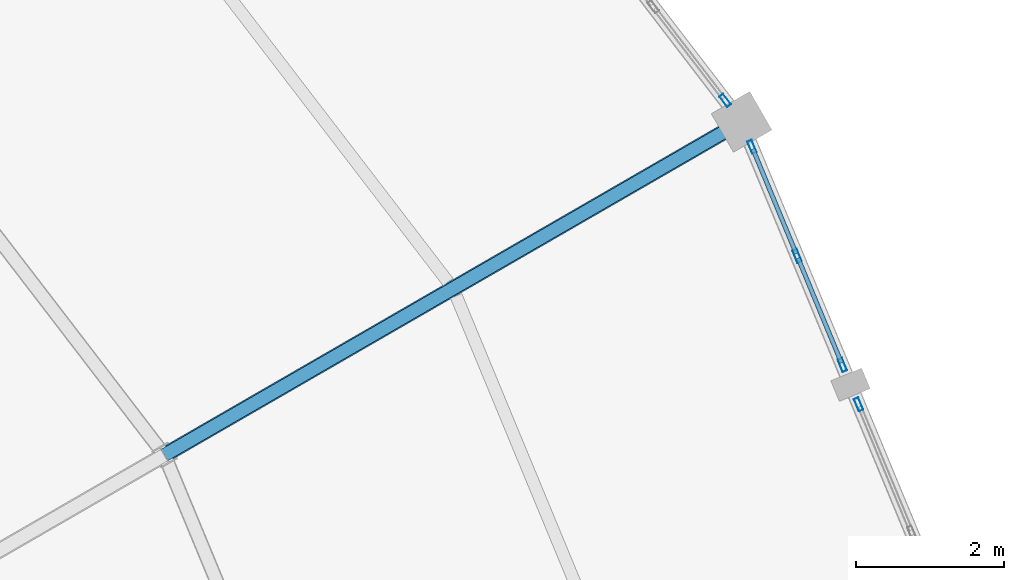
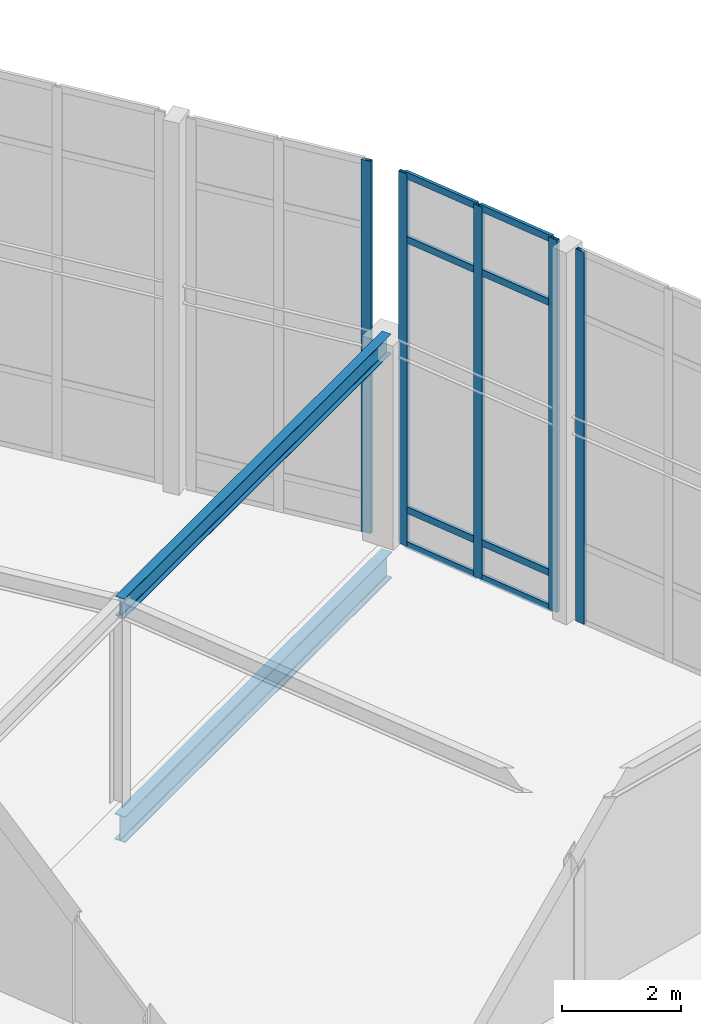
# One storey, part 123 of 185: 13 members, 2 beams, 3 elements without a shape of their own.
"""IFC4 building model written with IfcOpenShell, lengths in metres."""

from ifc_helpers import new_model, si_unit, direction, frame, origin, origin_2d, place, context, subcontext, project, spatial, hollow_rectangle, i_section, extrude, material, material_profile, profile_set, type_object, element, aggregate, save


model = new_model("IFC4")

# Units and contexts
model_context = context("Model", 3, precision=1e-05, world=origin(), true_north=direction((0.0, 1.0)))
body_context = subcontext(model_context, "Body", "Model", "MODEL_VIEW")
ifc_project = project(units=[si_unit("LENGTHUNIT", "METRE"), si_unit("AREAUNIT", "SQUARE_METRE"), si_unit("VOLUMEUNIT", "CUBIC_METRE"), si_unit("PLANEANGLEUNIT", "RADIAN"), si_unit("MASSUNIT", "GRAM", prefix="KILO")], contexts=[model_context])

# Site, building, storey
site_placement = place(None, origin())
site = spatial("IfcSite", under=ifc_project, at=site_placement, CompositionType="ELEMENT")
building_placement = place(site_placement, origin())
building = spatial("IfcBuilding", under=site, at=building_placement, Name="Vondelvale Polytechnic", CompositionType="ELEMENT")
storey_placement = place(building_placement, frame((0.0, 0.0, 9.60009765625)))
storey = spatial("IfcBuildingStorey", under=building, at=storey_placement, Name="L02", CompositionType="ELEMENT", Elevation=9.60009765625)

# Beams
ifc_material_1 = material(Name="Steel 300PLUS (fy = 300 MPa)", Category="steel")
ifc_material_profile_1 = material_profile(ifc_material_1, i_section(OverallWidth=0.177978515625, OverallDepth=0.403076171875, WebThickness=0.007568359375, FlangeThickness=0.010986328125, FilletRadius=0.011474609375, at=origin_2d()), Name="410UB53.7")
ifc_profile_set_1 = profile_set([ifc_material_profile_1], Name="Steel 300PLUS (fy = 300 MPa)")
beam_type_1 = type_object("IfcBeamType", Name="BM-UB410L", PredefinedType="BEAM", material=ifc_profile_set_1)
beam_1_placement = place(storey_placement, frame((134.04296875, 90.5, 3.998291015625), z_axis=(0.866024315419, 0.5000018851, 0.0), x_axis=(-0.5000018851, 0.866024315419, 0.0)))
element("IfcBeam", 1, at=beam_1_placement, inside=storey, type_object=beam_type_1, Name="L02 REG B-23", PredefinedType="BEAM", context=body_context, shape_type="SweptSolid", body=[
    extrude(i_section(OverallWidth=0.177978515625, OverallDepth=0.403076171875, WebThickness=0.007568359375, FlangeThickness=0.010986328125, FilletRadius=0.011474609375, at=origin_2d()), origin(), (0.0, 0.0, 1.0), 9.0),
])
ifc_material_profile_2 = material_profile(ifc_material_1, i_section(OverallWidth=0.208984375, OverallDepth=0.532958984375, WebThickness=0.01025390625, FlangeThickness=0.015625, FilletRadius=0.013916015625, at=origin_2d()), Name="530UB92.4")
ifc_profile_set_2 = profile_set([ifc_material_profile_2], Name="Steel 300PLUS (fy = 300 MPa)")
beam_type_2 = type_object("IfcBeamType", Name="BM-UB530", PredefinedType="BEAM", material=ifc_profile_set_2)
beam_2_placement = place(storey_placement, frame((134.04296875, 90.5, -0.546630859375), z_axis=(0.866024315419, 0.5000018851, 0.0), x_axis=(-0.5000018851, 0.866024315419, 0.0)))
element("IfcBeam", 2, at=beam_2_placement, inside=storey, type_object=beam_type_2, Name="L02 RG B-11", PredefinedType="BEAM", context=body_context, shape_type="SweptSolid", body=[
    extrude(i_section(OverallWidth=0.208984375, OverallDepth=0.532958984375, WebThickness=0.01025390625, FlangeThickness=0.015625, FilletRadius=0.013916015625, at=origin_2d()), origin(), (0.0, 0.0, 1.0), 9.0),
])

# Curtain wall, member
ifc_material_2 = material(Name="Glulam GL18 structural Tasmanian oak (fb = 42 MPa)", Category="wood")
curtain_wall_type = type_object("IfcCurtainWallType", Name="CW-RING-OUTER", PredefinedType="NOTDEFINED", material=ifc_material_2)
curtain_wall_1_placement = place(storey_placement, origin())
curtain_wall_1 = element("IfcCurtainWall", 3, at=curtain_wall_1_placement, inside=storey, type_object=curtain_wall_type, Name="L02 architectural curtain wall CW-04-083", PredefinedType="NOTDEFINED")
ifc_material_3 = material(Name="Anodised extruded aluminium 6063-T6", Category="aluminium")
ifc_material_profile_3 = material_profile(ifc_material_3, hollow_rectangle(XDim=0.06494140625, YDim=0.179931640625, WallThickness=0.00390625, at=origin_2d()), Name="CW-MUL-180x65")
ifc_profile_set_3 = profile_set([ifc_material_profile_3], Name="Anodised extruded aluminium 6063-T6")
member_type_1 = type_object("IfcMemberType", Name="CW-MUL-65x180", PredefinedType="MULLION", material=ifc_profile_set_3)
member_1_placement = place(storey_placement, frame((143.417724609375, 91.18408203125, 0.0), z_axis=(0.0, 0.0, 1.0), x_axis=(-0.92387490701, -0.382694599123, 0.0)))
member_1 = element("IfcMember", 4, at=member_1_placement, type_object=member_type_1, Name="CW-04-083 mullion 3", PredefinedType="MULLION", context=body_context, shape_type="SweptSolid", body=[
    extrude(hollow_rectangle(XDim=0.06494140625, YDim=0.179931640625, WallThickness=0.00390625, at=origin_2d()), origin(), (0.0, 0.0, 1.0), 7.661376953125),
])
aggregate(curtain_wall_1, [member_1])

# Curtain wall, members
curtain_wall_2_placement = place(storey_placement, origin())
curtain_wall_2 = element("IfcCurtainWall", 5, at=curtain_wall_2_placement, inside=storey, type_object=curtain_wall_type, Name="L02 architectural curtain wall CW-04-084", PredefinedType="NOTDEFINED")
member_2_placement = place(storey_placement, frame((143.19775390625, 91.71533203125, 0.0), z_axis=(0.0, 0.0, 1.0), x_axis=(-0.923882033442, -0.382677394529, 0.0)))
member_2 = element("IfcMember", 6, at=member_2_placement, type_object=member_type_1, Name="CW-04-084 mullion 1", PredefinedType="MULLION", context=body_context, shape_type="SweptSolid", body=[
    extrude(hollow_rectangle(XDim=0.06494140625, YDim=0.179931640625, WallThickness=0.00390625, at=origin_2d()), origin(), (0.0, 0.0, 1.0), 7.661376953125),
])
member_3_placement = place(storey_placement, frame((142.58740234375, 93.18896484375, 0.0), z_axis=(0.0, 0.0, 1.0), x_axis=(-0.923882033442, -0.382677394529, 0.0)))
member_3 = element("IfcMember", 7, at=member_3_placement, type_object=member_type_1, Name="CW-04-084 mullion 2", PredefinedType="MULLION", context=body_context, shape_type="SweptSolid", body=[
    extrude(hollow_rectangle(XDim=0.06494140625, YDim=0.179931640625, WallThickness=0.00390625, at=origin_2d()), origin(), (0.0, 0.0, 1.0), 7.661376953125),
])
member_4_placement = place(storey_placement, frame((141.97705078125, 94.66259765625, 0.0), z_axis=(0.0, 0.0, 1.0), x_axis=(-0.923882033442, -0.382677394529, 0.0)))
member_4 = element("IfcMember", 8, at=member_4_placement, type_object=member_type_1, Name="CW-04-084 mullion 3", PredefinedType="MULLION", context=body_context, shape_type="SweptSolid", body=[
    extrude(hollow_rectangle(XDim=0.06494140625, YDim=0.179931640625, WallThickness=0.00390625, at=origin_2d()), origin(), (0.0, 0.0, 1.0), 7.661376953125),
])

# Curtain wall, member
curtain_wall_3_placement = place(storey_placement, origin())
curtain_wall_3 = element("IfcCurtainWall", 9, at=curtain_wall_3_placement, inside=storey, type_object=curtain_wall_type, Name="L02 architectural curtain wall CW-04-094", PredefinedType="NOTDEFINED")
member_5_placement = place(storey_placement, frame((141.614990234375, 95.289794921875, 0.0), z_axis=(0.0, 0.0, 1.0), x_axis=(-0.793333825656, -0.608786860133, 0.0)))
member_5 = element("IfcMember", 10, at=member_5_placement, type_object=member_type_1, Name="CW-04-094 mullion 1", PredefinedType="MULLION", context=body_context, shape_type="SweptSolid", body=[
    extrude(hollow_rectangle(XDim=0.06494140625, YDim=0.179931640625, WallThickness=0.00390625, at=origin_2d()), origin(), (0.0, 0.0, 1.0), 7.661376953125),
])
aggregate(curtain_wall_3, [member_5])

# Member
ifc_material_profile_4 = material_profile(ifc_material_3, hollow_rectangle(XDim=0.06005859375, YDim=0.139892578125, WallThickness=0.00341796875, at=origin_2d()), Name="CW-TRN-140x60")
ifc_profile_set_4 = profile_set([ifc_material_profile_4], Name="Anodised extruded aluminium 6063-T6")
member_type_2 = type_object("IfcMemberType", Name="CW-TRN-60x140", PredefinedType="USERDEFINED", material=ifc_profile_set_4)
member_6_placement = place(storey_placement, frame((143.185302734375, 91.745361328125, 0.02978515625), z_axis=(-0.382643045304, 0.923896260346, 0.0), x_axis=(-0.923896260346, -0.382643045304, 0.0)))
member_6 = element("IfcMember", 11, at=member_6_placement, type_object=member_type_2, Name="CW-04-084 transom 1.1", ObjectType="TRANSOM", PredefinedType="USERDEFINED", context=body_context, shape_type="SweptSolid", body=[
    extrude(hollow_rectangle(XDim=0.06005859375, YDim=0.139892578125, WallThickness=0.00341796875, at=origin_2d()), origin(), (0.0, 0.0, 1.0), 1.530029296875),
])

member_7_placement = place(storey_placement, frame((143.185302734375, 91.745361328125, 0.75), z_axis=(-0.382643045304, 0.923896260346, 0.0), x_axis=(-0.923896260346, -0.382643045304, 0.0)))
member_7 = element("IfcMember", 12, at=member_7_placement, type_object=member_type_2, Name="CW-04-084 transom 1.2", ObjectType="TRANSOM", PredefinedType="USERDEFINED", context=body_context, shape_type="SweptSolid", body=[
    extrude(hollow_rectangle(XDim=0.06005859375, YDim=0.139892578125, WallThickness=0.00341796875, at=origin_2d()), origin(), (0.0, 0.0, 1.0), 1.530029296875),
])

member_8_placement = place(storey_placement, frame((143.185302734375, 91.745361328125, 6.311279296875), z_axis=(-0.382643045304, 0.923896260346, 0.0), x_axis=(-0.923896260346, -0.382643045304, 0.0)))
member_8 = element("IfcMember", 13, at=member_8_placement, type_object=member_type_2, Name="CW-04-084 transom 1.3", ObjectType="TRANSOM", PredefinedType="USERDEFINED", context=body_context, shape_type="SweptSolid", body=[
    extrude(hollow_rectangle(XDim=0.06005859375, YDim=0.139892578125, WallThickness=0.00341796875, at=origin_2d()), origin(), (0.0, 0.0, 1.0), 1.530029296875),
])

member_9_placement = place(storey_placement, frame((143.185302734375, 91.745361328125, 7.63134765625), z_axis=(-0.382643045304, 0.923896260346, 0.0), x_axis=(-0.923896260346, -0.382643045304, 0.0)))
member_9 = element("IfcMember", 14, at=member_9_placement, type_object=member_type_2, Name="CW-04-084 transom 1.4", ObjectType="TRANSOM", PredefinedType="USERDEFINED", context=body_context, shape_type="SweptSolid", body=[
    extrude(hollow_rectangle(XDim=0.06005859375, YDim=0.139892578125, WallThickness=0.00341796875, at=origin_2d()), origin(), (0.0, 0.0, 1.0), 1.530029296875),
])

member_10_placement = place(storey_placement, frame((142.574951171875, 93.218994140625, 0.02978515625), z_axis=(-0.382779237206, 0.923839843027, 0.0), x_axis=(-0.923839843027, -0.382779237206, 0.0)))
member_10 = element("IfcMember", 15, at=member_10_placement, type_object=member_type_2, Name="CW-04-084 transom 2.1", ObjectType="TRANSOM", PredefinedType="USERDEFINED", context=body_context, shape_type="SweptSolid", body=[
    extrude(hollow_rectangle(XDim=0.06005859375, YDim=0.139892578125, WallThickness=0.00341796875, at=origin_2d()), origin(), (0.0, 0.0, 1.0), 1.530029296875),
])

member_11_placement = place(storey_placement, frame((142.574951171875, 93.218994140625, 0.75), z_axis=(-0.382779237206, 0.923839843027, 0.0), x_axis=(-0.923839843027, -0.382779237206, 0.0)))
member_11 = element("IfcMember", 16, at=member_11_placement, type_object=member_type_2, Name="CW-04-084 transom 2.2", ObjectType="TRANSOM", PredefinedType="USERDEFINED", context=body_context, shape_type="SweptSolid", body=[
    extrude(hollow_rectangle(XDim=0.06005859375, YDim=0.139892578125, WallThickness=0.00341796875, at=origin_2d()), origin(), (0.0, 0.0, 1.0), 1.530029296875),
])

member_12_placement = place(storey_placement, frame((142.574951171875, 93.218994140625, 6.311279296875), z_axis=(-0.382779237206, 0.923839843027, 0.0), x_axis=(-0.923839843027, -0.382779237206, 0.0)))
member_12 = element("IfcMember", 17, at=member_12_placement, type_object=member_type_2, Name="CW-04-084 transom 2.3", ObjectType="TRANSOM", PredefinedType="USERDEFINED", context=body_context, shape_type="SweptSolid", body=[
    extrude(hollow_rectangle(XDim=0.06005859375, YDim=0.139892578125, WallThickness=0.00341796875, at=origin_2d()), origin(), (0.0, 0.0, 1.0), 1.530029296875),
])

member_13_placement = place(storey_placement, frame((142.574951171875, 93.218994140625, 7.63134765625), z_axis=(-0.382779237206, 0.923839843027, 0.0), x_axis=(-0.923839843027, -0.382779237206, 0.0)))
member_13 = element("IfcMember", 18, at=member_13_placement, type_object=member_type_2, Name="CW-04-084 transom 2.4", ObjectType="TRANSOM", PredefinedType="USERDEFINED", context=body_context, shape_type="SweptSolid", body=[
    extrude(hollow_rectangle(XDim=0.06005859375, YDim=0.139892578125, WallThickness=0.00341796875, at=origin_2d()), origin(), (0.0, 0.0, 1.0), 1.530029296875),
])

aggregate(curtain_wall_2, [member_2, member_3, member_4, member_6, member_7, member_8, member_9, member_10, member_11, member_12, member_13])

save(model, "model.ifc")
